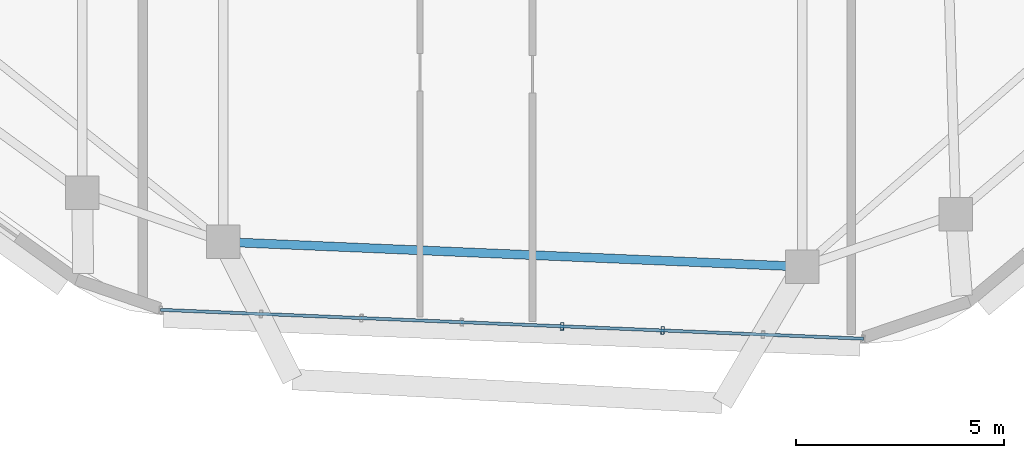
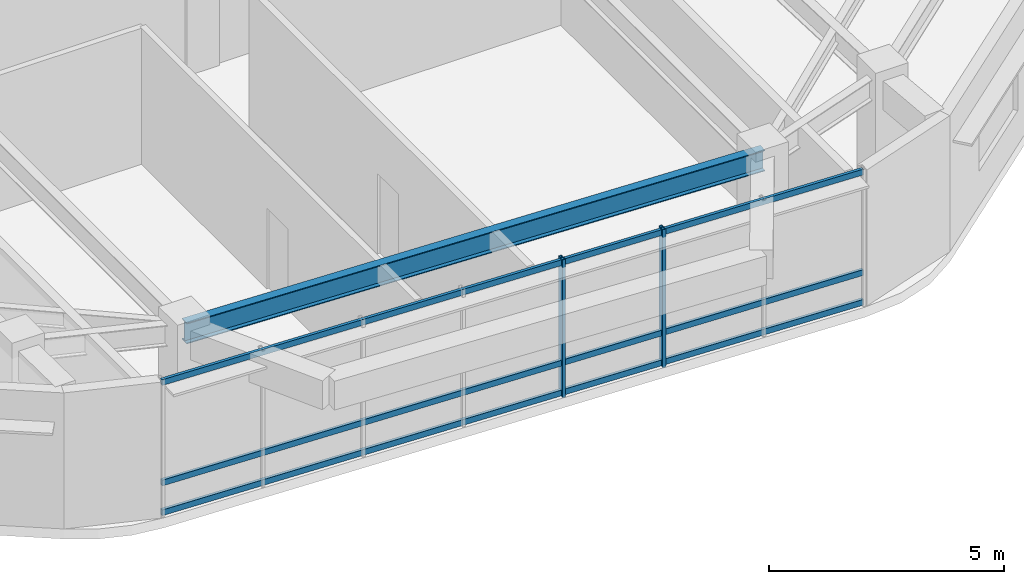
# One storey, part 3 of 13: 5 members, 1 beam, 1 element without a shape of its own.
"""IFC4 building model written with IfcOpenShell, lengths in metres."""

from ifc_helpers import new_model, si_unit, direction, frame, origin, origin_2d, place, context, subcontext, project, spatial, hollow_rectangle, i_section, extrude, material, material_profile, profile_set, type_object, element, aggregate, save


model = new_model("IFC4")

# Units and contexts
model_context = context("Model", 3, precision=1e-05, world=origin(), true_north=direction((0.0, 1.0)))
body_context = subcontext(model_context, "Body", "Model", "MODEL_VIEW")
ifc_project = project(units=[si_unit("LENGTHUNIT", "METRE"), si_unit("AREAUNIT", "SQUARE_METRE"), si_unit("VOLUMEUNIT", "CUBIC_METRE"), si_unit("PLANEANGLEUNIT", "RADIAN"), si_unit("MASSUNIT", "GRAM", prefix="KILO")], contexts=[model_context])

# Site, building, storey
site_placement = place(None, origin())
site = spatial("IfcSite", under=ifc_project, at=site_placement, CompositionType="ELEMENT")
building_placement = place(site_placement, origin())
building = spatial("IfcBuilding", under=site, at=building_placement, Name="Zulverin Broadcast Headquarters", CompositionType="ELEMENT")
storey_placement = place(building_placement, frame((0.0, 0.0, 301.0)))
storey = spatial("IfcBuildingStorey", under=building, at=storey_placement, Name="L77", CompositionType="ELEMENT", Elevation=301.0)

# Beam
ifc_material_1 = material(Name="Structural steel S355JR", Category="steel")
ifc_material_profile_1 = material_profile(ifc_material_1, i_section(OverallWidth=0.2119140625, OverallDepth=0.54443359375, WebThickness=0.0126953125, FlangeThickness=0.021240234375, at=origin_2d()), Name="Structural steel S355JR", Category="steel")
ifc_profile_set_1 = profile_set([ifc_material_profile_1], Name="Structural steel S355JR")
beam_type = type_object("IfcBeamType", Name="BM-UB-533", PredefinedType="SPANDREL", material=ifc_profile_set_1)
beam_placement = place(storey_placement, frame((30.93359375, 4.703125, 3.267822265625), z_axis=(0.999085051108, -0.042767518662, 0.0), x_axis=(0.042767518662, 0.999085051108, 0.0)))
element("IfcBeam", 1, at=beam_placement, inside=storey, type_object=beam_type, Name="L77 Perimeter Spandrel Beam SP-01", PredefinedType="SPANDREL", context=body_context, shape_type="SweptSolid", body=[
    extrude(i_section(OverallWidth=0.2119140625, OverallDepth=0.54443359375, WebThickness=0.0126953125, FlangeThickness=0.021240234375, at=origin_2d()), origin(), (0.0, 0.0, 1.0), 13.906005859375),
])

# Curtain wall, members
ifc_material_2 = material(Name="High-zone solar-control unitised curtain wall", Category="aluminium")
curtain_wall_type = type_object("IfcCurtainWallType", Name="CW-TWR-UPP", PredefinedType="USERDEFINED", material=ifc_material_2)
curtain_wall_placement = place(storey_placement, origin())
curtain_wall = element("IfcCurtainWall", 2, at=curtain_wall_placement, inside=storey, type_object=curtain_wall_type, Name="L77 Unitised Curtain Wall CW-L77-E1", ObjectType="UNITISED CURTAIN WALL", PredefinedType="USERDEFINED")
ifc_material_3 = material(Name="Anodized pale-metal aluminium alloy 6063-T6", Category="aluminium")
ifc_material_profile_2 = material_profile(ifc_material_3, hollow_rectangle(XDim=0.074951171875, YDim=0.179931640625, WallThickness=0.0048828125, at=origin_2d()), Name="Anodized pale-metal aluminium alloy 6063-T6", Category="aluminium")
ifc_profile_set_2 = profile_set([ifc_material_profile_2], Name="Anodized pale-metal aluminium alloy 6063-T6")
member_type_1 = type_object("IfcMemberType", Name="CW-MUL-180", PredefinedType="MULLION", material=ifc_profile_set_2)
member_1_placement = place(storey_placement, frame((39.06298828125, 2.67724609375, -0.030029296875), z_axis=(0.0, 0.0, 1.0), x_axis=(0.99915627139, -0.041070005388, 0.0)))
member_1 = element("IfcMember", 3, at=member_1_placement, type_object=member_type_1, Name="CW-L77-E1 Mullion 04", PredefinedType="MULLION", context=body_context, shape_type="SweptSolid", body=[
    extrude(hollow_rectangle(XDim=0.074951171875, YDim=0.179931640625, WallThickness=0.0048828125, at=origin_2d()), origin(), (0.0, 0.0, 1.0), 3.60009765625),
])
member_2_placement = place(storey_placement, frame((41.4716796875, 2.578125, -0.030029296875), z_axis=(0.0, 0.0, 1.0), x_axis=(0.99915627139, -0.041070005388, 0.0)))
member_2 = element("IfcMember", 4, at=member_2_placement, type_object=member_type_1, Name="CW-L77-E1 Mullion 05", PredefinedType="MULLION", context=body_context, shape_type="SweptSolid", body=[
    extrude(hollow_rectangle(XDim=0.074951171875, YDim=0.179931640625, WallThickness=0.0048828125, at=origin_2d()), origin(), (0.0, 0.0, 1.0), 3.60009765625),
])
ifc_material_profile_3 = material_profile(ifc_material_3, hollow_rectangle(XDim=0.074951171875, YDim=0.14990234375, WallThickness=0.0048828125, at=origin_2d()), Name="Anodized pale-metal aluminium alloy 6063-T6", Category="aluminium")
ifc_profile_set_3 = profile_set([ifc_material_profile_3], Name="Anodized pale-metal aluminium alloy 6063-T6")
member_type_2 = type_object("IfcMemberType", Name="CW-TRN-150", PredefinedType="USERDEFINED", material=ifc_profile_set_3)
member_3_placement = place(storey_placement, frame((29.427490234375, 3.0732421875, 0.074951171875), z_axis=(0.999156233565, -0.041070925594, 0.0), x_axis=(0.041070925594, 0.999156233565, 0.0)))
member_3 = element("IfcMember", 5, at=member_3_placement, type_object=member_type_2, Name="CW-L77-E1 Transom 0", ObjectType="TRANSOM", PredefinedType="USERDEFINED", context=body_context, shape_type="SweptSolid", body=[
    extrude(hollow_rectangle(XDim=0.074951171875, YDim=0.14990234375, WallThickness=0.0048828125, at=origin_2d()), origin(), (0.0, 0.0, 1.0), 16.8759765625),
])
member_4_placement = place(storey_placement, frame((29.427490234375, 3.0732421875, 0.849609375), z_axis=(0.999156233565, -0.041070925594, 0.0), x_axis=(0.041070925594, 0.999156233565, 0.0)))
member_4 = element("IfcMember", 6, at=member_4_placement, type_object=member_type_2, Name="CW-L77-E1 Transom 1", ObjectType="TRANSOM", PredefinedType="USERDEFINED", context=body_context, shape_type="SweptSolid", body=[
    extrude(hollow_rectangle(XDim=0.074951171875, YDim=0.14990234375, WallThickness=0.0048828125, at=origin_2d()), origin(), (0.0, 0.0, 1.0), 16.8759765625),
])
member_5_placement = place(storey_placement, frame((29.427490234375, 3.0732421875, 3.465087890625), z_axis=(0.999156233565, -0.041070925594, 0.0), x_axis=(0.041070925594, 0.999156233565, 0.0)))
member_5 = element("IfcMember", 7, at=member_5_placement, type_object=member_type_2, Name="CW-L77-E1 Transom 2", ObjectType="TRANSOM", PredefinedType="USERDEFINED", context=body_context, shape_type="SweptSolid", body=[
    extrude(hollow_rectangle(XDim=0.074951171875, YDim=0.14990234375, WallThickness=0.0048828125, at=origin_2d()), origin(), (0.0, 0.0, 1.0), 16.8759765625),
])
aggregate(curtain_wall, [member_1, member_2, member_3, member_4, member_5])

save(model, "model.ifc")
